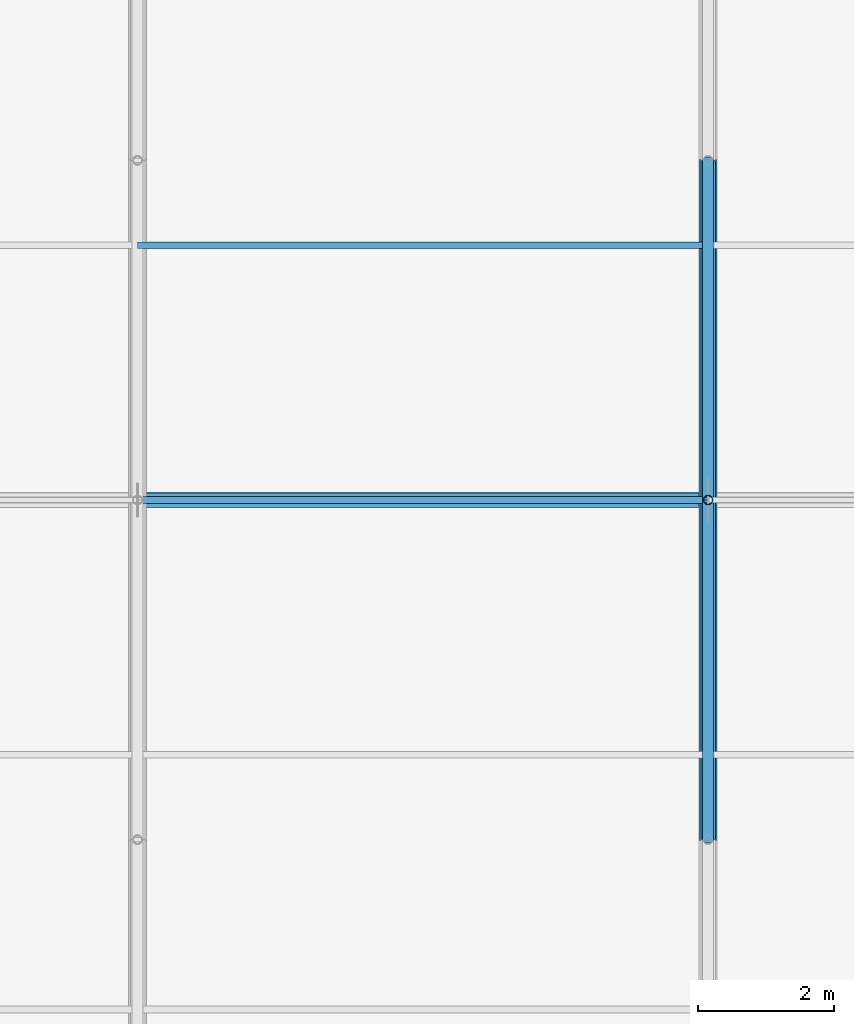
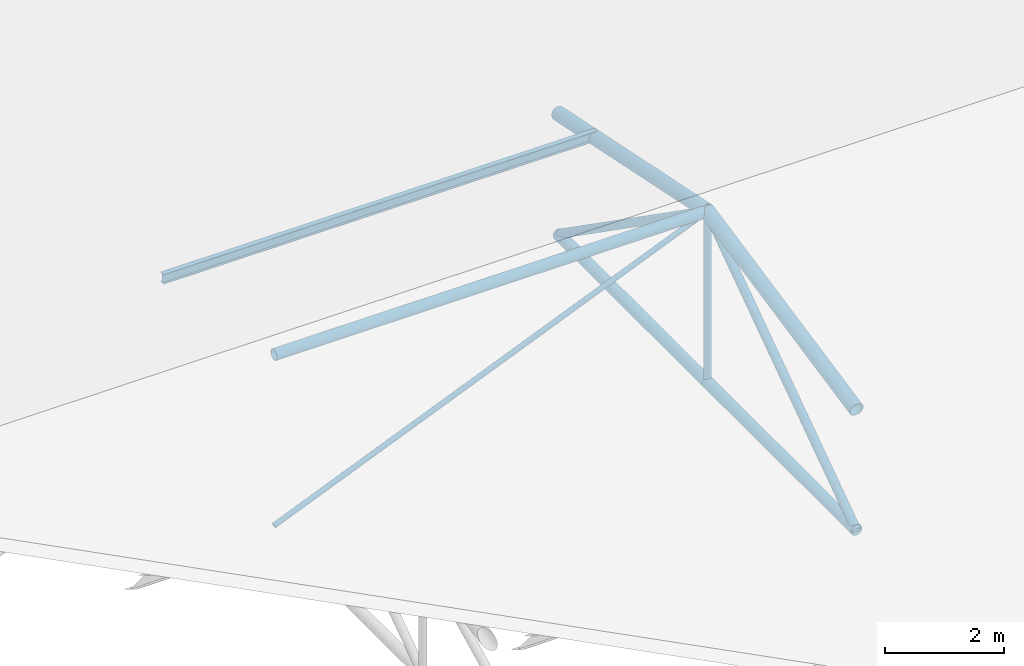
# One storey, part 48 of 194: 9 members, 1 beam.
"""IFC4 building model written with IfcOpenShell, lengths in metres."""

from ifc_helpers import new_model, si_unit, direction, frame, origin, origin_2d, place, context, subcontext, project, spatial, hollow_circle, i_section, extrude, material, material_profile, profile_set, type_object, element, save


model = new_model("IFC4")

# Units and contexts
model_context = context("Model", 3, precision=1e-05, world=origin(), true_north=direction((0.0, 1.0)))
body_context = subcontext(model_context, "Body", "Model", "MODEL_VIEW")
ifc_project = project(units=[si_unit("LENGTHUNIT", "METRE"), si_unit("AREAUNIT", "SQUARE_METRE"), si_unit("VOLUMEUNIT", "CUBIC_METRE"), si_unit("PLANEANGLEUNIT", "RADIAN"), si_unit("MASSUNIT", "GRAM", prefix="KILO")], contexts=[model_context])

# Site, building, storey
site_placement = place(None, origin())
site = spatial("IfcSite", under=ifc_project, at=site_placement, CompositionType="ELEMENT")
building_placement = place(site_placement, origin())
building = spatial("IfcBuilding", under=site, at=building_placement, Name="Kazenagashi Tramway Depot", CompositionType="ELEMENT")
storey_placement = place(building_placement, frame((0.0, 0.0, 23.7)))
storey = spatial("IfcBuildingStorey", under=building, at=storey_placement, Name="ROOF", CompositionType="ELEMENT", Elevation=23.7)

# Beam
ifc_material_1 = material(Name="Steel SN400B", Category="steel")
ifc_material_profile_1 = material_profile(ifc_material_1, i_section(OverallWidth=0.1, OverallDepth=0.2, WebThickness=0.0055, FlangeThickness=0.008, at=origin_2d()), Name="H-200x100x5.5x8")
ifc_profile_set_1 = profile_set([ifc_material_profile_1], Name="Steel SN400B")
beam_type = type_object("IfcBeamType", Name="PR-01", PredefinedType="USERDEFINED", material=ifc_profile_set_1)
beam_placement = place(storey_placement, frame((86.8, 118.75, -11.305), z_axis=(1.0, 0.0, 0.0), x_axis=(0.0, 1.0, 0.0)))
element("IfcBeam", 1, at=beam_placement, inside=storey, type_object=beam_type, Name="Beam PR-01 BM-2185", ObjectType="PURLIN", PredefinedType="USERDEFINED", context=body_context, shape_type="SweptSolid", body=[
    extrude(i_section(OverallWidth=0.1, OverallDepth=0.2, WebThickness=0.0055, FlangeThickness=0.008, at=origin_2d()), origin(), (0.0, 0.0, 1.0), 8.4),
])

# Members
ifc_material_2 = material(Name="Steel STK490", Category="steel")
ifc_material_profile_2 = material_profile(ifc_material_2, hollow_circle(Radius=0.1337, WallThickness=0.0093, at=origin_2d()), Name="CHS-267.4x9.3")
ifc_profile_set_2 = profile_set([ifc_material_profile_2], Name="Steel STK490")
member_type_1 = type_object("IfcMemberType", Name="TC-01", PredefinedType="CHORD", material=ifc_profile_set_2)
for number, where, z_axis, x_axis, name in (
    (2, (95.2, 110.0, -11.633), (0.0, 0.979317999984, 0.202327098797), (-1.0, 0.0, 0.0), "Tubular Space Frame TC-01 MEM-0404"),
    (3, (95.2, 115.0, -10.6), (0.0, 0.979317999984, -0.202327098797), (-1.0, 0.0, 0.0), "Tubular Space Frame TC-01 MEM-0407"),
):
    element("IfcMember", number, at=place(storey_placement, frame(where, z_axis=z_axis, x_axis=x_axis)), inside=storey, type_object=member_type_1, Name=name, PredefinedType="CHORD", context=body_context, shape_type="SweptSolid", body=[
        extrude(hollow_circle(Radius=0.1337, WallThickness=0.0093, at=origin_2d()), origin(), (0.0, 0.0, 1.0), 5.105594),
    ])
ifc_material_profile_3 = material_profile(ifc_material_2, hollow_circle(Radius=0.10815, WallThickness=0.0082, at=origin_2d()), Name="CHS-216.3x8.2")
ifc_profile_set_3 = profile_set([ifc_material_profile_3], Name="Steel STK490")
member_type_2 = type_object("IfcMemberType", Name="TC-02", PredefinedType="CHORD", material=ifc_profile_set_3)
member_1_placement = place(storey_placement, frame((86.8, 115.0, -10.6), z_axis=(1.0, 0.0, 0.0), x_axis=(0.0, 1.0, 0.0)))
element("IfcMember", 4, at=member_1_placement, inside=storey, type_object=member_type_2, Name="Tubular Space Frame TC-02 MEM-0363", PredefinedType="CHORD", context=body_context, shape_type="SweptSolid", body=[
    extrude(hollow_circle(Radius=0.10815, WallThickness=0.0082, at=origin_2d()), origin(), (0.0, 0.0, 1.0), 8.4),
])
for number, where, z_axis, x_axis, name in (
    (5, (95.2, 110.0, -14.1), (0.0, 1.0, 0.0), (-1.0, 0.0, 0.0), "Tubular Space Frame TC-02 MEM-0405"),
    (6, (95.2, 115.0, -14.1), (0.0, 1.0, 0.0), (-1.0, 0.0, 0.0), "Tubular Space Frame TC-02 MEM-0408"),
):
    element("IfcMember", number, at=place(storey_placement, frame(where, z_axis=z_axis, x_axis=x_axis)), inside=storey, type_object=member_type_2, Name=name, PredefinedType="CHORD", context=body_context, shape_type="SweptSolid", body=[
        extrude(hollow_circle(Radius=0.10815, WallThickness=0.0082, at=origin_2d()), origin(), (0.0, 0.0, 1.0), 5.0),
    ])
ifc_material_profile_4 = material_profile(ifc_material_2, hollow_circle(Radius=0.0826, WallThickness=0.0071, at=origin_2d()), Name="CHS-165.2x7.1")
ifc_profile_set_4 = profile_set([ifc_material_profile_4], Name="Steel STK490")
member_type_3 = type_object("IfcMemberType", Name="TS-01", PredefinedType="STRUT", material=ifc_profile_set_4)
for number, where, z_axis, x_axis, name in (
    (7, (95.2, 110.0, -14.1), (0.0, 0.819231920519, 0.573462344363), (-1.0, 0.0, 0.0), "Tubular Space Frame TS-01 MEM-0406"),
    (8, (95.2, 115.0, -10.6), (0.0, 0.819231920519, -0.573462344363), (-1.0, 0.0, 0.0), "Tubular Space Frame TS-01 MEM-0409"),
):
    element("IfcMember", number, at=place(storey_placement, frame(where, z_axis=z_axis, x_axis=x_axis)), inside=storey, type_object=member_type_3, Name=name, PredefinedType="STRUT", context=body_context, shape_type="SweptSolid", body=[
        extrude(hollow_circle(Radius=0.0826, WallThickness=0.0071, at=origin_2d()), origin(), (0.0, 0.0, 1.0), 6.103278),
    ])
ifc_material_profile_5 = material_profile(ifc_material_2, hollow_circle(Radius=0.0699, WallThickness=0.0066, at=origin_2d()), Name="CHS-139.8x6.6")
ifc_profile_set_5 = profile_set([ifc_material_profile_5], Name="Steel STK490")
member_type_4 = type_object("IfcMemberType", Name="TS-02", PredefinedType="STRUT", material=ifc_profile_set_5)
member_2_placement = place(storey_placement, frame((95.2, 115.0, -14.1), z_axis=(0.0, 0.0, 1.0), x_axis=(1.0, 0.0, 0.0)))
element("IfcMember", 9, at=member_2_placement, inside=storey, type_object=member_type_4, Name="Tubular Space Frame TS-02 MEM-0418", PredefinedType="STRUT", context=body_context, shape_type="SweptSolid", body=[
    extrude(hollow_circle(Radius=0.0699, WallThickness=0.0066, at=origin_2d()), origin(), (0.0, 0.0, 1.0), 3.5),
])
ifc_material_3 = material(Name="Steel STK400", Category="steel")
ifc_material_profile_6 = material_profile(ifc_material_3, hollow_circle(Radius=0.0508, WallThickness=0.0042, at=origin_2d()), Name="CHS-101.6x4.2")
ifc_profile_set_6 = profile_set([ifc_material_profile_6], Name="Steel STK400")
member_type_5 = type_object("IfcMemberType", Name="TS-06", PredefinedType="STRUT", material=ifc_profile_set_6)
member_3_placement = place(storey_placement, frame((86.8, 115.0, -14.1), z_axis=(0.923076923077, 0.0, 0.384615384615), x_axis=(0.0, 1.0, 0.0)))
element("IfcMember", 10, at=member_3_placement, inside=storey, type_object=member_type_5, Name="Tubular Space Frame TS-06 MEM-0364", PredefinedType="STRUT", context=body_context, shape_type="SweptSolid", body=[
    extrude(hollow_circle(Radius=0.0508, WallThickness=0.0042, at=origin_2d()), origin(), (0.0, 0.0, 1.0), 9.1),
])

save(model, "model.ifc")
